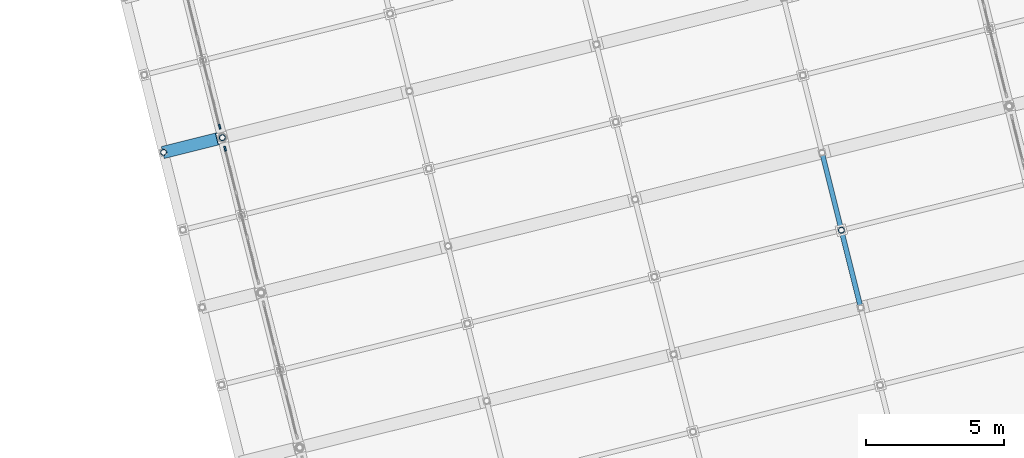
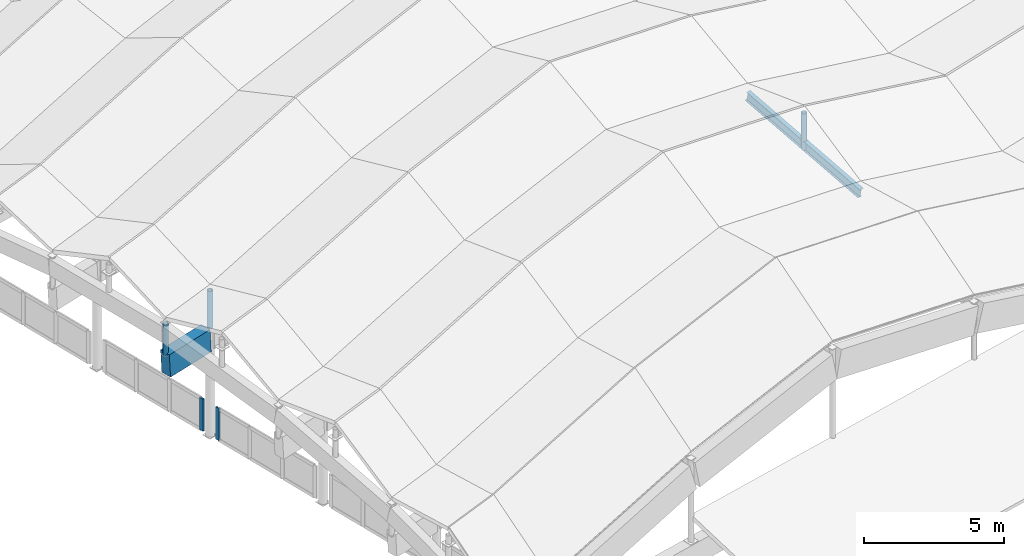
# One storey, part 19 of 65: 5 members, 2 beams, 2 elements without a shape of their own.
"""IFC4 building model written with IfcOpenShell, lengths in metres."""

from ifc_helpers import new_model, si_unit, direction, frame, origin, origin_2d, place, context, subcontext, project, spatial, rectangle, hollow_circle, i_section, extrude, material, material_profile, profile_set, type_object, element, aggregate, save


model = new_model("IFC4")

# Units and contexts
model_context = context("Model", 3, precision=1e-05, world=origin(), true_north=direction((0.0, 1.0)))
body_context = subcontext(model_context, "Body", "Model", "MODEL_VIEW")
ifc_project = project(units=[si_unit("LENGTHUNIT", "METRE"), si_unit("AREAUNIT", "SQUARE_METRE"), si_unit("VOLUMEUNIT", "CUBIC_METRE"), si_unit("PLANEANGLEUNIT", "RADIAN"), si_unit("MASSUNIT", "GRAM", prefix="KILO")], contexts=[model_context])

# Site, building, storey
site_placement = place(None, origin())
site = spatial("IfcSite", under=ifc_project, at=site_placement, CompositionType="ELEMENT")
building_placement = place(site_placement, origin())
building = spatial("IfcBuilding", under=site, at=building_placement, Name="Cinderway Yard Community Centre", CompositionType="ELEMENT")
storey_placement = place(building_placement, frame((0.0, 0.0, 24.300048828125)))
storey = spatial("IfcBuildingStorey", under=building, at=storey_placement, Name="RF", CompositionType="ELEMENT", Elevation=24.300048828125)

# Curtain wall, member
ifc_material_1 = material(Name="Aluminium 6063-T6", Category="aluminium")
curtain_wall_type = type_object("IfcCurtainWallType", Name="ENV-CW-TYPE-11", PredefinedType="USERDEFINED", material=ifc_material_1)
curtain_wall_1_placement = place(storey_placement, origin())
curtain_wall_1 = element("IfcCurtainWall", 1, at=curtain_wall_1_placement, inside=storey, type_object=curtain_wall_type, Name="Main Hall West Clerestory Curtain Wall ENV-CW-RF-HS-0039", ObjectType="GLAZED CURTAIN WALL", PredefinedType="USERDEFINED")
ifc_material_profile_1 = material_profile(ifc_material_1, rectangle(XDim=0.06494140625, YDim=0.179931640625, at=origin_2d()), Name="Aluminium 6063-T6")
ifc_profile_set_1 = profile_set([ifc_material_profile_1], Name="Aluminium 6063-T6")
member_type_1 = type_object("IfcMemberType", Name="ENV-CW-MULL-180", PredefinedType="MULLION", material=ifc_profile_set_1)
member_1_placement = place(storey_placement, frame((15.69921875, 41.601806640625, -11.400146484375), z_axis=(0.0, 0.0, 1.0), x_axis=(-0.970305690025, -0.241881929678, 0.0)))
member_1 = element("IfcMember", 2, at=member_1_placement, type_object=member_type_1, Name="CW-11 mullion 4", PredefinedType="MULLION", context=body_context, shape_type="SweptSolid", body=[
    extrude(rectangle(XDim=0.06494140625, YDim=0.179931640625, at=origin_2d()), origin(), (0.0, 0.0, 1.0), 1.400146484375),
])
aggregate(curtain_wall_1, [member_1])

curtain_wall_2_placement = place(storey_placement, origin())
curtain_wall_2 = element("IfcCurtainWall", 3, at=curtain_wall_2_placement, inside=storey, type_object=curtain_wall_type, Name="Main Hall West Clerestory Curtain Wall ENV-CW-RF-HS-0040", ObjectType="GLAZED CURTAIN WALL", PredefinedType="USERDEFINED")
member_2_placement = place(storey_placement, frame((15.500732421875, 42.398193359375, -11.400146484375), z_axis=(0.0, 0.0, 1.0), x_axis=(-0.970305690025, -0.241881929678, 0.0)))
member_2 = element("IfcMember", 4, at=member_2_placement, type_object=member_type_1, Name="CW-11 mullion 1", PredefinedType="MULLION", context=body_context, shape_type="SweptSolid", body=[
    extrude(rectangle(XDim=0.06494140625, YDim=0.179931640625, at=origin_2d()), origin(), (0.0, 0.0, 1.0), 1.400146484375),
])
aggregate(curtain_wall_2, [member_2])

# Beams
ifc_material_2 = material(Name="Concrete C40/50", Category="concrete")
ifc_material_profile_2 = material_profile(ifc_material_2, rectangle(XDim=0.449951171875, YDim=1.0, at=origin_2d()), Name="Concrete C40/50")
ifc_profile_set_2 = profile_set([ifc_material_profile_2], Name="Concrete C40/50")
beam_type_1 = type_object("IfcBeamType", Name="STR-BM-RC450X1000", PredefinedType="BEAM", material=ifc_profile_set_2)
beam_1_placement = place(storey_placement, frame((15.425048828125, 41.9560546875, -7.10498046875), z_axis=(-0.968658217265, -0.241199274578, -0.059364703898), x_axis=(0.241625414642, -0.970369599173, 0.0)))
element("IfcBeam", 5, at=beam_1_placement, inside=storey, type_object=beam_type_1, Name="Main Hall west folded-plate eave rib 04", PredefinedType="BEAM", context=body_context, shape_type="SweptSolid", body=[
    extrude(rectangle(XDim=0.449951171875, YDim=1.0, at=origin_2d()), origin(), (0.0, 0.0, 1.0), 2.0234375),
])
ifc_material_3 = material(Name="Steel S355", Category="steel")
ifc_material_profile_3 = material_profile(ifc_material_3, i_section(OverallWidth=0.178955078125, OverallDepth=0.409912109375, WebThickness=0.0087890625, FlangeThickness=0.013427734375, FilletRadius=0.011962890625, at=origin_2d()), Name="Steel S355")
ifc_profile_set_3 = profile_set([ifc_material_profile_3], Name="Steel S355")
beam_type_2 = type_object("IfcBeamType", Name="STR-BM-W410X67", PredefinedType="JOIST", material=ifc_profile_set_3)
beam_2_placement = place(storey_placement, frame((38.782958984375, 35.824951171875, -5.260986328125), z_axis=(-0.235947530239, 0.945759427416, 0.223311147121), x_axis=(-0.970261226344, -0.242060225261, 0.0)))
element("IfcBeam", 6, at=beam_2_placement, inside=storey, type_object=beam_type_2, Name="Folded-plate valley beam B2-U21", PredefinedType="JOIST", context=body_context, shape_type="SweptSolid", body=[
    extrude(i_section(OverallWidth=0.178955078125, OverallDepth=0.409912109375, WebThickness=0.0087890625, FlangeThickness=0.013427734375, FilletRadius=0.011962890625, at=origin_2d()), origin(), (0.0, 0.0, 1.0), 5.95068359375),
])

# Members
ifc_material_profile_4 = material_profile(ifc_material_3, hollow_circle(Radius=0.109619140625, WallThickness=0.010009765625, at=origin_2d()), Name="Steel S355")
ifc_profile_set_4 = profile_set([ifc_material_profile_4], Name="Steel S355")
member_type_2 = type_object("IfcMemberType", Name="STR-MEM-STRUT-CHS219", PredefinedType="STRUT", material=ifc_profile_set_4)
member_3_placement = place(storey_placement, frame((13.465087890625, 41.468017578125, -6.824951171875), z_axis=(0.0, 0.0, 1.0), x_axis=(1.0, 0.0, 0.0)))
element("IfcMember", 7, at=member_3_placement, inside=storey, type_object=member_type_2, Name="Arch rib web post 04-W22", PredefinedType="STRUT", context=body_context, shape_type="SweptSolid", body=[
    extrude(hollow_circle(Radius=0.109619140625, WallThickness=0.010009765625, at=origin_2d()), origin(), (0.0, 0.0, 1.0), 1.3798828125),
])
member_4_placement = place(storey_placement, frame((15.60009765625, 42.0, -6.705078125), z_axis=(0.0, 0.0, 1.0), x_axis=(1.0, 0.0, 0.0)))
element("IfcMember", 8, at=member_4_placement, inside=storey, type_object=member_type_2, Name="Arch rib web post 04-00", PredefinedType="STRUT", context=body_context, shape_type="SweptSolid", body=[
    extrude(hollow_circle(Radius=0.109619140625, WallThickness=0.010009765625, at=origin_2d()), origin(), (0.0, 0.0, 1.0), 1.610107421875),
])
member_5_placement = place(storey_placement, frame((38.0810546875, 38.638916015625, -4.7919921875), z_axis=(0.0, 0.0, 1.0), x_axis=(1.0, 0.0, 0.0)))
element("IfcMember", 9, at=member_5_placement, inside=storey, type_object=member_type_2, Name="Folded-plate ridge kingpost B2-U21", PredefinedType="STRUT", context=body_context, shape_type="SweptSolid", body=[
    extrude(hollow_circle(Radius=0.109619140625, WallThickness=0.010009765625, at=origin_2d()), origin(), (0.0, 0.0, 1.0), 1.583984375),
])

save(model, "model.ifc")
